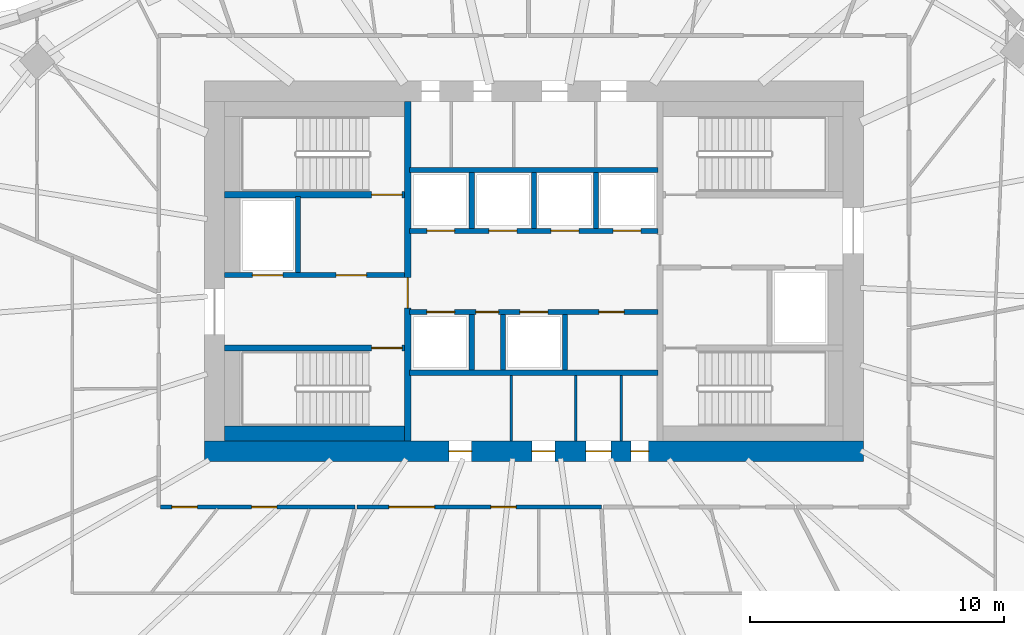
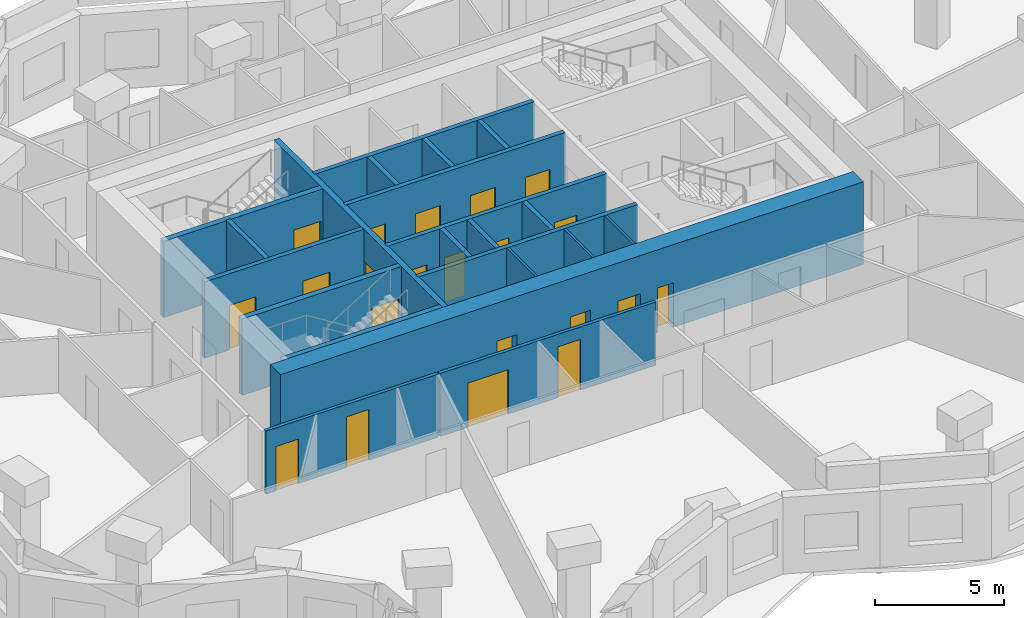
# One storey, part 5 of 11: 22 walls, 21 doors, 21 openings.
"""IFC4 building model written with IfcOpenShell, lengths in metres."""

from ifc_helpers import new_model, si_unit, direction, frame, frame_2d, origin, place, context, subcontext, project, spatial, rectangle, extrude, material, layer, layer_set, type_object, element, fill, save


model = new_model("IFC4")

# Units and contexts
model_context = context("Model", 3, precision=1e-05, world=origin(), true_north=direction((0.0, 1.0)))
body_context = subcontext(model_context, "Body", "Model", "MODEL_VIEW")
ifc_project = project(units=[si_unit("LENGTHUNIT", "METRE"), si_unit("AREAUNIT", "SQUARE_METRE"), si_unit("VOLUMEUNIT", "CUBIC_METRE"), si_unit("PLANEANGLEUNIT", "RADIAN"), si_unit("MASSUNIT", "GRAM", prefix="KILO")], contexts=[model_context])

# Site, building, storey
site_placement = place(None, origin())
site = spatial("IfcSite", under=ifc_project, at=site_placement, CompositionType="ELEMENT")
building_placement = place(site_placement, origin())
building = spatial("IfcBuilding", under=site, at=building_placement, Name="Rubra Terraces Tower", CompositionType="ELEMENT")
storey_placement = place(building_placement, frame((0.0, 0.0, 260.39990234375)))
storey = spatial("IfcBuildingStorey", under=building, at=storey_placement, Name="L64", CompositionType="ELEMENT", Elevation=260.39990234375)

# Wall, openings, doors
ifc_material_1 = material(Name="Concrete C50", Category="concrete")
ifc_layer_1 = layer(ifc_material_1, 0.800048828125)
ifc_layer_set_1 = layer_set([ifc_layer_1], Name="Concrete C50")
wall_type_1 = type_object("IfcWallType", Name="CORE WALL 800 C50", PredefinedType="SHEAR", material=ifc_layer_set_1)
wall_1_placement = place(storey_placement, frame((-13.0, -2.60009765625, 0.0), z_axis=(0.0, 0.0, 1.0), x_axis=(1.0, 0.0, 0.0)))
wall_1 = element("IfcWall", 1, at=wall_1_placement, inside=storey, type_object=wall_type_1, Name="CORE WALL S L64", PredefinedType="SHEAR", context=body_context, shape_type="SweptSolid", body=[
    extrude(rectangle(XDim=26.0, YDim=0.800048828125, at=frame_2d((13.0, 0.0))), origin(), (0.0, 0.0, 1.0), 3.900146484375),
])
opening_1_placement = place(wall_1_placement, frame((9.64990234375, 0.0, 0.0)))
opening_1 = element("IfcOpeningElement", 2, at=opening_1_placement, cuts=wall_1, Name="Opening L64.C21", PredefinedType="OPENING", context=body_context, shape_type="SweptSolid", body=[
    extrude(rectangle(XDim=0.89990234375, YDim=2.10009765625, at=frame_2d((0.449951171875, 1.050048828125))), frame((0.0, 0.409912109375, 0.0), z_axis=(0.0, -1.0, 0.0), x_axis=(1.0, 0.0, 0.0)), (0.0, 0.0, 1.0), 0.820068359375),
])
opening_2_placement = place(wall_1_placement, frame((12.925048828125, 0.0, 0.0)))
opening_2 = element("IfcOpeningElement", 3, at=opening_2_placement, cuts=wall_1, Name="Opening L64.C22", PredefinedType="OPENING", context=body_context, shape_type="SweptSolid", body=[
    extrude(rectangle(XDim=0.89990234375, YDim=2.10009765625, at=frame_2d((0.449951171875, 1.050048828125))), frame((0.0, 0.409912109375, 0.0), z_axis=(0.0, -1.0, 0.0), x_axis=(1.0, 0.0, 0.0)), (0.0, 0.0, 1.0), 0.820068359375),
])
opening_3_placement = place(wall_1_placement, frame((15.050048828125, 0.0, 0.0)))
opening_3 = element("IfcOpeningElement", 4, at=opening_3_placement, cuts=wall_1, Name="Opening L64.C23", PredefinedType="OPENING", context=body_context, shape_type="SweptSolid", body=[
    extrude(rectangle(XDim=1.0, YDim=2.10009765625, at=frame_2d((0.5, 1.050048828125))), frame((0.0, 0.409912109375, 0.0), z_axis=(0.0, -1.0, 0.0), x_axis=(1.0, 0.0, 0.0)), (0.0, 0.0, 1.0), 0.820068359375),
])
opening_4_placement = place(wall_1_placement, frame((16.824951171875, 0.0, 0.0)))
opening_4 = element("IfcOpeningElement", 5, at=opening_4_placement, cuts=wall_1, Name="Opening L64.C24", PredefinedType="OPENING", context=body_context, shape_type="SweptSolid", body=[
    extrude(rectangle(XDim=0.699951171875, YDim=2.10009765625, at=frame_2d((0.35009765625, 1.050048828125))), frame((0.0, 0.409912109375, 0.0), z_axis=(0.0, -1.0, 0.0), x_axis=(1.0, 0.0, 0.0)), (0.0, 0.0, 1.0), 0.820068359375),
])
ifc_material_2 = material(Name="Painted steel", Category="steel")
door_type_1 = type_object("IfcDoorType", Name="Fire door 1000x2100 single", OperationType="NOTDEFINED", PredefinedType="DOOR", material=ifc_material_2)
door_1_placement = place(opening_3_placement, origin())
door_1 = element("IfcDoor", 6, at=door_1_placement, inside=storey, type_object=door_type_1, Name="Accessible WC door", OperationType="SINGLE_SWING_LEFT", OverallHeight=2.10009765625, OverallWidth=1.0, PredefinedType="DOOR", context=body_context, shape_type="SweptSolid", body=[
    extrude(rectangle(XDim=1.0, YDim=2.10009765625, at=frame_2d((0.5, 1.050048828125))), frame((0.0, 0.02490234375, 0.0), z_axis=(0.0, -1.0, 0.0), x_axis=(1.0, 0.0, 0.0)), (0.0, 0.0, 1.0), 0.050048828125),
])
fill(opening_3, door_1)
door_type_2 = type_object("IfcDoorType", Name="Fire door 900x2100 single", OperationType="NOTDEFINED", PredefinedType="DOOR", material=ifc_material_2)
door_2_placement = place(opening_1_placement, origin())
door_2 = element("IfcDoor", 7, at=door_2_placement, inside=storey, type_object=door_type_2, Name="Ladies WC door", OperationType="SINGLE_SWING_LEFT", OverallHeight=2.10009765625, OverallWidth=0.89990234375, PredefinedType="DOOR", context=body_context, shape_type="SweptSolid", body=[
    extrude(rectangle(XDim=0.89990234375, YDim=2.10009765625, at=frame_2d((0.449951171875, 1.050048828125))), frame((0.0, 0.02490234375, 0.0), z_axis=(0.0, -1.0, 0.0), x_axis=(1.0, 0.0, 0.0)), (0.0, 0.0, 1.0), 0.050048828125),
])
fill(opening_1, door_2)
door_3_placement = place(opening_2_placement, origin())
door_3 = element("IfcDoor", 8, at=door_3_placement, inside=storey, type_object=door_type_2, Name="Gents WC door", OperationType="SINGLE_SWING_RIGHT", OverallHeight=2.10009765625, OverallWidth=0.89990234375, PredefinedType="DOOR", context=body_context, shape_type="SweptSolid", body=[
    extrude(rectangle(XDim=0.89990234375, YDim=2.10009765625, at=frame_2d((0.449951171875, 1.050048828125))), frame((0.0, 0.02490234375, 0.0), z_axis=(0.0, -1.0, 0.0), x_axis=(1.0, 0.0, 0.0)), (0.0, 0.0, 1.0), 0.050048828125),
])
fill(opening_2, door_3)
door_type_3 = type_object("IfcDoorType", Name="Riser access door 700x2100 single", OperationType="NOTDEFINED", PredefinedType="DOOR", material=ifc_material_2)
door_4_placement = place(opening_4_placement, origin())
door_4 = element("IfcDoor", 9, at=door_4_placement, inside=storey, type_object=door_type_3, Name="Water and drainage riser door", OperationType="SINGLE_SWING_RIGHT", OverallHeight=2.10009765625, OverallWidth=0.699951171875, PredefinedType="DOOR", context=body_context, shape_type="SweptSolid", body=[
    extrude(rectangle(XDim=0.699951171875, YDim=2.10009765625, at=frame_2d((0.35009765625, 1.050048828125))), frame((0.0, 0.02490234375, 0.0), z_axis=(0.0, -1.0, 0.0), x_axis=(1.0, 0.0, 0.0)), (0.0, 0.0, 1.0), 0.050048828125),
])
fill(opening_4, door_4)

ifc_material_3 = material(Name="Plasterboard on steel stud, mineral wool infill", Category="steel")
ifc_layer_2 = layer(ifc_material_3, 0.14990234375)
ifc_layer_set_2 = layer_set([ifc_layer_2], Name="Plasterboard on steel stud, mineral wool infill")
wall_type_2 = type_object("IfcWallType", Name="CORRIDOR PARTITION 150", PredefinedType="PARTITIONING", material=ifc_layer_set_2)
wall_2_placement = place(storey_placement, frame((-14.72509765625, -4.800048828125, 0.0), z_axis=(0.0, 0.0, 1.0), x_axis=(1.0, 0.0, 0.0)))
wall_2 = element("IfcWall", 10, at=wall_2_placement, inside=storey, type_object=wall_type_2, Name="PARTITION", PredefinedType="PARTITIONING", context=body_context, shape_type="SweptSolid", body=[
    extrude(rectangle(XDim=7.676513671875, YDim=0.14990234375, at=frame_2d((3.83837890625, 0.0))), origin(), (0.0, 0.0, 1.0), 2.984130859375),
])
opening_5_placement = place(wall_2_placement, frame((0.449951171875, 0.0, 0.0)))
opening_5 = element("IfcOpeningElement", 11, at=opening_5_placement, cuts=wall_2, Name="Opening 64-116", PredefinedType="OPENING", context=body_context, shape_type="SweptSolid", body=[
    extrude(rectangle(XDim=1.0, YDim=2.10009765625, at=frame_2d((0.5, 1.050048828125))), frame((0.0, 0.0849609375, 0.0), z_axis=(0.0, -1.0, 0.0), x_axis=(1.0, 0.0, 0.0)), (0.0, 0.0, 1.0), 0.169921875),
])
opening_6_placement = place(wall_2_placement, frame((3.589111328125, 0.0, 0.0)))
opening_6 = element("IfcOpeningElement", 12, at=opening_6_placement, cuts=wall_2, Name="Opening 64-118", PredefinedType="OPENING", context=body_context, shape_type="SweptSolid", body=[
    extrude(rectangle(XDim=1.0, YDim=2.39990234375, at=frame_2d((0.5, 1.199951171875))), frame((0.0, 0.0849609375, 0.0), z_axis=(0.0, -1.0, 0.0), x_axis=(1.0, 0.0, 0.0)), (0.0, 0.0, 1.0), 0.169921875),
])
ifc_material_4 = material(Name="Glazed aluminium meeting door leaf", Category="aluminium")
door_type_4 = type_object("IfcDoorType", Name="MEETING ROOM GLAZED DOOR 1000 X 2400", OperationType="SINGLE_SWING_LEFT", PredefinedType="DOOR", material=ifc_material_4)
door_5_placement = place(opening_6_placement, origin())
door_5 = element("IfcDoor", 13, at=door_5_placement, inside=storey, type_object=door_type_4, Name="DOOR 64-118", OperationType="SINGLE_SWING_RIGHT", OverallHeight=2.39990234375, OverallWidth=1.0, PredefinedType="DOOR", context=body_context, shape_type="SweptSolid", body=[
    extrude(rectangle(XDim=1.0, YDim=2.39990234375, at=frame_2d((0.5, 1.199951171875))), frame((0.0, 0.02490234375, 0.0), z_axis=(0.0, -1.0, 0.0), x_axis=(1.0, 0.0, 0.0)), (0.0, 0.0, 1.0), 0.050048828125),
])
fill(opening_6, door_5)
ifc_material_5 = material(Name="Painted timber door leaf", Category="wood")
door_type_5 = type_object("IfcDoorType", Name="ROOM DOOR 1000 X 2100", OperationType="SINGLE_SWING_LEFT", PredefinedType="DOOR", material=ifc_material_5)
door_6_placement = place(opening_5_placement, origin())
door_6 = element("IfcDoor", 14, at=door_6_placement, inside=storey, type_object=door_type_5, Name="DOOR 64-116", OperationType="SINGLE_SWING_RIGHT", OverallHeight=2.10009765625, OverallWidth=1.0, PredefinedType="DOOR", context=body_context, shape_type="SweptSolid", body=[
    extrude(rectangle(XDim=1.0, YDim=2.10009765625, at=frame_2d((0.5, 1.050048828125))), frame((0.0, 0.02490234375, 0.0), z_axis=(0.0, -1.0, 0.0), x_axis=(1.0, 0.0, 0.0)), (0.0, 0.0, 1.0), 0.050048828125),
])
fill(opening_5, door_6)

wall_3_placement = place(storey_placement, frame((-6.9736328125, -4.800048828125, 0.0), z_axis=(0.0, 0.0, 1.0), x_axis=(1.0, 0.0, 0.0)))
wall_3 = element("IfcWall", 15, at=wall_3_placement, inside=storey, type_object=wall_type_2, Name="PARTITION", PredefinedType="PARTITIONING", context=body_context, shape_type="SweptSolid", body=[
    extrude(rectangle(XDim=9.6396484375, YDim=0.14990234375, at=frame_2d((4.81982421875, 0.0))), origin(), (0.0, 0.0, 1.0), 2.984130859375),
])
opening_7_placement = place(wall_3_placement, frame((1.2548828125, 0.0, 0.0)))
opening_7 = element("IfcOpeningElement", 16, at=opening_7_placement, cuts=wall_3, Name="Opening 64-120", PredefinedType="OPENING", context=body_context, shape_type="SweptSolid", body=[
    extrude(rectangle(XDim=1.800048828125, YDim=2.10009765625, at=frame_2d((0.89990234375, 1.050048828125))), frame((0.0, 0.0849609375, 0.0), z_axis=(0.0, -1.0, 0.0), x_axis=(1.0, 0.0, 0.0)), (0.0, 0.0, 1.0), 0.169921875),
])
opening_8_placement = place(wall_3_placement, frame((5.27392578125, 0.0, 0.0)))
opening_8 = element("IfcOpeningElement", 17, at=opening_8_placement, cuts=wall_3, Name="Opening 64-122", PredefinedType="OPENING", context=body_context, shape_type="SweptSolid", body=[
    extrude(rectangle(XDim=1.0, YDim=2.39990234375, at=frame_2d((0.5, 1.199951171875))), frame((0.0, 0.0849609375, 0.0), z_axis=(0.0, -1.0, 0.0), x_axis=(1.0, 0.0, 0.0)), (0.0, 0.0, 1.0), 0.169921875),
])
door_7_placement = place(opening_8_placement, origin())
door_7 = element("IfcDoor", 18, at=door_7_placement, inside=storey, type_object=door_type_4, Name="DOOR 64-122", OperationType="SINGLE_SWING_RIGHT", OverallHeight=2.39990234375, OverallWidth=1.0, PredefinedType="DOOR", context=body_context, shape_type="SweptSolid", body=[
    extrude(rectangle(XDim=1.0, YDim=2.39990234375, at=frame_2d((0.5, 1.199951171875))), frame((0.0, 0.02490234375, 0.0), z_axis=(0.0, -1.0, 0.0), x_axis=(1.0, 0.0, 0.0)), (0.0, 0.0, 1.0), 0.050048828125),
])
fill(opening_8, door_7)
ifc_material_6 = material(Name="Painted timber door leaf, double", Category="wood")
door_type_6 = type_object("IfcDoorType", Name="ROOM DOUBLE DOOR 1800 X 2100", OperationType="DOUBLE_DOOR_SINGLE_SWING", PredefinedType="DOOR", material=ifc_material_6)
door_8_placement = place(opening_7_placement, origin())
door_8 = element("IfcDoor", 19, at=door_8_placement, inside=storey, type_object=door_type_6, Name="DOOR 64-120", OperationType="DOUBLE_DOOR_SINGLE_SWING", OverallHeight=2.10009765625, OverallWidth=1.800048828125, PredefinedType="DOOR", context=body_context, shape_type="SweptSolid", body=[
    extrude(rectangle(XDim=1.800048828125, YDim=2.10009765625, at=frame_2d((0.89990234375, 1.050048828125))), frame((0.0, 0.02490234375, 0.0), z_axis=(0.0, -1.0, 0.0), x_axis=(1.0, 0.0, 0.0)), (0.0, 0.0, 1.0), 0.050048828125),
])
fill(opening_7, door_8)

# Wall
ifc_material_7 = material(Name="Concrete C40", Category="concrete")
ifc_layer_3 = layer(ifc_material_7, 0.60009765625)
ifc_layer_set_3 = layer_set([ifc_layer_3], Name="Concrete C40")
wall_type_3 = type_object("IfcWallType", Name="Core lining wall 600 concrete", PredefinedType="SOLIDWALL", material=ifc_layer_set_3)
wall_4_placement = place(storey_placement, frame((-12.199951171875, -1.89990234375, 0.0), z_axis=(0.0, 0.0, 1.0), x_axis=(1.0, 0.0, 0.0)))
element("IfcWall", 20, at=wall_4_placement, inside=storey, type_object=wall_type_3, Name="CORE LINING WALL L64", PredefinedType="SOLIDWALL", context=body_context, shape_type="SweptSolid", body=[
    extrude(rectangle(XDim=7.099853515625, YDim=0.60009765625, at=frame_2d((3.5498046875, 0.0))), origin(), (0.0, 0.0, 1.0), 3.60009765625),
])

# Wall, openings, doors
ifc_material_8 = material(Name="Concrete C30", Category="concrete")
ifc_layer_4 = layer(ifc_material_8, 0.199951171875)
ifc_layer_set_4 = layer_set([ifc_layer_4], Name="Concrete C30")
wall_type_4 = type_object("IfcWallType", Name="Core wall 200 concrete", PredefinedType="SOLIDWALL", material=ifc_layer_set_4)
wall_5_placement = place(storey_placement, frame((-12.199951171875, 4.35009765625, 0.0), z_axis=(0.0, 0.0, 1.0), x_axis=(1.0, 0.0, 0.0)))
wall_5 = element("IfcWall", 21, at=wall_5_placement, inside=storey, type_object=wall_type_4, Name="STAIR WALL L64", PredefinedType="SOLIDWALL", context=body_context, shape_type="SweptSolid", body=[
    extrude(rectangle(XDim=7.099853515625, YDim=0.199951171875, at=frame_2d((3.5498046875, 0.0))), origin(), (0.0, 0.0, 1.0), 3.60009765625),
])
opening_9_placement = place(wall_5_placement, frame((4.39990234375, 0.0, 0.0)))
opening_9 = element("IfcOpeningElement", 22, at=opening_9_placement, cuts=wall_5, Name="Opening L64.C05", PredefinedType="OPENING", context=body_context, shape_type="SweptSolid", body=[
    extrude(rectangle(XDim=1.199951171875, YDim=2.10009765625, at=frame_2d((0.60009765625, 1.050048828125))), frame((0.0, 0.10986328125, 0.0), z_axis=(0.0, -1.0, 0.0), x_axis=(1.0, 0.0, 0.0)), (0.0, 0.0, 1.0), 0.219970703125),
])
opening_10_placement = place(wall_5_placement, frame((1.10009765625, 0.0, 0.0)))
opening_10 = element("IfcOpeningElement", 23, at=opening_10_placement, cuts=wall_5, Name="Opening L64.C11", PredefinedType="OPENING", context=body_context, shape_type="SweptSolid", body=[
    extrude(rectangle(XDim=1.199951171875, YDim=2.10009765625, at=frame_2d((0.60009765625, 1.050048828125))), frame((0.0, 0.10986328125, 0.0), z_axis=(0.0, -1.0, 0.0), x_axis=(1.0, 0.0, 0.0)), (0.0, 0.0, 1.0), 0.219970703125),
])
door_type_7 = type_object("IfcDoorType", Name="Fire door 1200x2100 single", OperationType="NOTDEFINED", PredefinedType="DOOR", material=ifc_material_2)
door_9_placement = place(opening_9_placement, origin())
door_9 = element("IfcDoor", 24, at=door_9_placement, inside=storey, type_object=door_type_7, Name="Stair vestibule door S2", OperationType="SINGLE_SWING_LEFT", OverallHeight=2.10009765625, OverallWidth=1.199951171875, PredefinedType="DOOR", context=body_context, shape_type="SweptSolid", body=[
    extrude(rectangle(XDim=1.199951171875, YDim=2.10009765625, at=frame_2d((0.60009765625, 1.050048828125))), frame((0.0, 0.02490234375, 0.0), z_axis=(0.0, -1.0, 0.0), x_axis=(1.0, 0.0, 0.0)), (0.0, 0.0, 1.0), 0.050048828125),
])
fill(opening_9, door_9)
ifc_material_9 = material(Name="Stainless steel", Category="steel")
door_type_8 = type_object("IfcDoorType", Name="Lift landing door 1200x2100", OperationType="NOTDEFINED", PredefinedType="DOOR", material=ifc_material_9)
door_10_placement = place(opening_10_placement, origin())
door_10 = element("IfcDoor", 25, at=door_10_placement, inside=storey, type_object=door_type_8, Name="Landing door FF1", OperationType="SLIDING_TO_RIGHT", OverallHeight=2.10009765625, OverallWidth=1.199951171875, PredefinedType="DOOR", context=body_context, shape_type="SweptSolid", body=[
    extrude(rectangle(XDim=1.199951171875, YDim=2.10009765625, at=frame_2d((0.60009765625, 1.050048828125))), frame((0.0, 0.02490234375, 0.0), z_axis=(0.0, -1.0, 0.0), x_axis=(1.0, 0.0, 0.0)), (0.0, 0.0, 1.0), 0.050048828125),
])
fill(opening_10, door_10)

# Walls
wall_6_placement = place(storey_placement, frame((-9.300048828125, 4.449951171875, 0.0), z_axis=(0.0, 0.0, 1.0), x_axis=(0.0, 1.0, 0.0)))
element("IfcWall", 26, at=wall_6_placement, inside=storey, type_object=wall_type_4, Name="STAIR WALL L64", PredefinedType="SOLIDWALL", context=body_context, shape_type="SweptSolid", body=[
    extrude(rectangle(XDim=3.0, YDim=0.199951171875, at=frame_2d((1.5, 0.0))), origin(), (0.0, 0.0, 1.0), 3.60009765625),
])
wall_7_placement = place(storey_placement, frame((-4.89990234375, 0.5, 0.0), z_axis=(0.0, 0.0, 1.0), x_axis=(1.0, 0.0, 0.0)))
element("IfcWall", 27, at=wall_7_placement, inside=storey, type_object=wall_type_4, Name="LIFT SHAFT WALL L64", PredefinedType="SOLIDWALL", context=body_context, shape_type="SweptSolid", body=[
    extrude(rectangle(XDim=9.7998046875, YDim=0.199951171875, at=frame_2d((4.89990234375, 0.0))), origin(), (0.0, 0.0, 1.0), 3.60009765625),
])

# Wall, openings, doors
wall_8_placement = place(storey_placement, frame((-4.89990234375, 2.89990234375, 0.0), z_axis=(0.0, 0.0, 1.0), x_axis=(1.0, 0.0, 0.0)))
wall_8 = element("IfcWall", 28, at=wall_8_placement, inside=storey, type_object=wall_type_4, Name="LIFT SHAFT WALL L64", PredefinedType="SOLIDWALL", context=body_context, shape_type="SweptSolid", body=[
    extrude(rectangle(XDim=9.7998046875, YDim=0.199951171875, at=frame_2d((4.89990234375, 0.0))), origin(), (0.0, 0.0, 1.0), 3.60009765625),
])
opening_11_placement = place(wall_8_placement, frame((0.675048828125, 0.0, 0.0)))
opening_11 = element("IfcOpeningElement", 29, at=opening_11_placement, cuts=wall_8, Name="Opening L64.C13", PredefinedType="OPENING", context=body_context, shape_type="SweptSolid", body=[
    extrude(rectangle(XDim=1.10009765625, YDim=2.10009765625, at=frame_2d((0.550048828125, 1.050048828125))), frame((0.0, 0.10986328125, 0.0), z_axis=(0.0, -1.0, 0.0), x_axis=(1.0, 0.0, 0.0)), (0.0, 0.0, 1.0), 0.219970703125),
])
opening_12_placement = place(wall_8_placement, frame((2.613037109375, 0.0, 0.0)))
opening_12 = element("IfcOpeningElement", 30, at=opening_12_placement, cuts=wall_8, Name="Opening L64.C14", PredefinedType="OPENING", context=body_context, shape_type="SweptSolid", body=[
    extrude(rectangle(XDim=0.89990234375, YDim=2.10009765625, at=frame_2d((0.449951171875, 1.050048828125))), frame((0.0, 0.10986328125, 0.0), z_axis=(0.0, -1.0, 0.0), x_axis=(1.0, 0.0, 0.0)), (0.0, 0.0, 1.0), 0.219970703125),
])
opening_13_placement = place(wall_8_placement, frame((4.35009765625, 0.0, 0.0)))
opening_13 = element("IfcOpeningElement", 31, at=opening_13_placement, cuts=wall_8, Name="Opening L64.C15", PredefinedType="OPENING", context=body_context, shape_type="SweptSolid", body=[
    extrude(rectangle(XDim=1.10009765625, YDim=2.10009765625, at=frame_2d((0.550048828125, 1.050048828125))), frame((0.0, 0.10986328125, 0.0), z_axis=(0.0, -1.0, 0.0), x_axis=(1.0, 0.0, 0.0)), (0.0, 0.0, 1.0), 0.219970703125),
])
opening_14_placement = place(wall_8_placement, frame((7.462890625, 0.0, 0.0)))
opening_14 = element("IfcOpeningElement", 32, at=opening_14_placement, cuts=wall_8, Name="Opening L64.C16", PredefinedType="OPENING", context=body_context, shape_type="SweptSolid", body=[
    extrude(rectangle(XDim=1.0, YDim=2.10009765625, at=frame_2d((0.5, 1.050048828125))), frame((0.0, 0.10986328125, 0.0), z_axis=(0.0, -1.0, 0.0), x_axis=(1.0, 0.0, 0.0)), (0.0, 0.0, 1.0), 0.219970703125),
])
door_11_placement = place(opening_14_placement, origin())
door_11 = element("IfcDoor", 33, at=door_11_placement, inside=storey, type_object=door_type_1, Name="Ice and vending room door", OperationType="SINGLE_SWING_RIGHT", OverallHeight=2.10009765625, OverallWidth=1.0, PredefinedType="DOOR", context=body_context, shape_type="SweptSolid", body=[
    extrude(rectangle(XDim=1.0, YDim=2.10009765625, at=frame_2d((0.5, 1.050048828125))), frame((0.0, 0.02490234375, 0.0), z_axis=(0.0, -1.0, 0.0), x_axis=(1.0, 0.0, 0.0)), (0.0, 0.0, 1.0), 0.050048828125),
])
fill(opening_14, door_11)
door_12_placement = place(opening_12_placement, origin())
door_12 = element("IfcDoor", 34, at=door_12_placement, inside=storey, type_object=door_type_2, Name="Cleaner's store door", OperationType="SINGLE_SWING_RIGHT", OverallHeight=2.10009765625, OverallWidth=0.89990234375, PredefinedType="DOOR", context=body_context, shape_type="SweptSolid", body=[
    extrude(rectangle(XDim=0.89990234375, YDim=2.10009765625, at=frame_2d((0.449951171875, 1.050048828125))), frame((0.0, 0.02490234375, 0.0), z_axis=(0.0, -1.0, 0.0), x_axis=(1.0, 0.0, 0.0)), (0.0, 0.0, 1.0), 0.050048828125),
])
fill(opening_12, door_12)
door_type_9 = type_object("IfcDoorType", Name="Lift landing door 1100x2100", OperationType="NOTDEFINED", PredefinedType="DOOR", material=ifc_material_9)
door_13_placement = place(opening_11_placement, origin())
door_13 = element("IfcDoor", 35, at=door_13_placement, inside=storey, type_object=door_type_9, Name="Landing door HB1", OperationType="SLIDING_TO_RIGHT", OverallHeight=2.10009765625, OverallWidth=1.10009765625, PredefinedType="DOOR", context=body_context, shape_type="SweptSolid", body=[
    extrude(rectangle(XDim=1.10009765625, YDim=2.10009765625, at=frame_2d((0.550048828125, 1.050048828125))), frame((0.0, 0.02490234375, 0.0), z_axis=(0.0, -1.0, 0.0), x_axis=(1.0, 0.0, 0.0)), (0.0, 0.0, 1.0), 0.050048828125),
])
fill(opening_11, door_13)
door_14_placement = place(opening_13_placement, origin())
door_14 = element("IfcDoor", 36, at=door_14_placement, inside=storey, type_object=door_type_9, Name="Landing door HB2", OperationType="SLIDING_TO_LEFT", OverallHeight=2.10009765625, OverallWidth=1.10009765625, PredefinedType="DOOR", context=body_context, shape_type="SweptSolid", body=[
    extrude(rectangle(XDim=1.10009765625, YDim=2.10009765625, at=frame_2d((0.550048828125, 1.050048828125))), frame((0.0, 0.02490234375, 0.0), z_axis=(0.0, -1.0, 0.0), x_axis=(1.0, 0.0, 0.0)), (0.0, 0.0, 1.0), 0.050048828125),
])
fill(opening_13, door_14)

wall_9_placement = place(storey_placement, frame((-4.89990234375, 6.10009765625, 0.0), z_axis=(0.0, 0.0, 1.0), x_axis=(1.0, 0.0, 0.0)))
wall_9 = element("IfcWall", 37, at=wall_9_placement, inside=storey, type_object=wall_type_4, Name="LIFT SHAFT WALL L64", PredefinedType="SOLIDWALL", context=body_context, shape_type="SweptSolid", body=[
    extrude(rectangle(XDim=9.7998046875, YDim=0.199951171875, at=frame_2d((4.89990234375, 0.0))), origin(), (0.0, 0.0, 1.0), 3.60009765625),
])
opening_15_placement = place(wall_9_placement, frame((0.675048828125, 0.0, 0.0)))
opening_15 = element("IfcOpeningElement", 38, at=opening_15_placement, cuts=wall_9, Name="Opening L64.C17", PredefinedType="OPENING", context=body_context, shape_type="SweptSolid", body=[
    extrude(rectangle(XDim=1.10009765625, YDim=2.10009765625, at=frame_2d((0.550048828125, 1.050048828125))), frame((0.0, 0.10986328125, 0.0), z_axis=(0.0, -1.0, 0.0), x_axis=(1.0, 0.0, 0.0)), (0.0, 0.0, 1.0), 0.219970703125),
])
opening_16_placement = place(wall_9_placement, frame((3.125, 0.0, 0.0)))
opening_16 = element("IfcOpeningElement", 39, at=opening_16_placement, cuts=wall_9, Name="Opening L64.C18", PredefinedType="OPENING", context=body_context, shape_type="SweptSolid", body=[
    extrude(rectangle(XDim=1.10009765625, YDim=2.10009765625, at=frame_2d((0.550048828125, 1.050048828125))), frame((0.0, 0.10986328125, 0.0), z_axis=(0.0, -1.0, 0.0), x_axis=(1.0, 0.0, 0.0)), (0.0, 0.0, 1.0), 0.219970703125),
])
opening_17_placement = place(wall_9_placement, frame((5.574951171875, 0.0, 0.0)))
opening_17 = element("IfcOpeningElement", 40, at=opening_17_placement, cuts=wall_9, Name="Opening L64.C19", PredefinedType="OPENING", context=body_context, shape_type="SweptSolid", body=[
    extrude(rectangle(XDim=1.10009765625, YDim=2.10009765625, at=frame_2d((0.550048828125, 1.050048828125))), frame((0.0, 0.10986328125, 0.0), z_axis=(0.0, -1.0, 0.0), x_axis=(1.0, 0.0, 0.0)), (0.0, 0.0, 1.0), 0.219970703125),
])
opening_18_placement = place(wall_9_placement, frame((8.02490234375, 0.0, 0.0)))
opening_18 = element("IfcOpeningElement", 41, at=opening_18_placement, cuts=wall_9, Name="Opening L64.C20", PredefinedType="OPENING", context=body_context, shape_type="SweptSolid", body=[
    extrude(rectangle(XDim=1.10009765625, YDim=2.10009765625, at=frame_2d((0.550048828125, 1.050048828125))), frame((0.0, 0.10986328125, 0.0), z_axis=(0.0, -1.0, 0.0), x_axis=(1.0, 0.0, 0.0)), (0.0, 0.0, 1.0), 0.219970703125),
])
door_15_placement = place(opening_15_placement, origin())
door_15 = element("IfcDoor", 42, at=door_15_placement, inside=storey, type_object=door_type_9, Name="Landing door HB3", OperationType="SLIDING_TO_RIGHT", OverallHeight=2.10009765625, OverallWidth=1.10009765625, PredefinedType="DOOR", context=body_context, shape_type="SweptSolid", body=[
    extrude(rectangle(XDim=1.10009765625, YDim=2.10009765625, at=frame_2d((0.550048828125, 1.050048828125))), frame((0.0, 0.02490234375, 0.0), z_axis=(0.0, -1.0, 0.0), x_axis=(1.0, 0.0, 0.0)), (0.0, 0.0, 1.0), 0.050048828125),
])
fill(opening_15, door_15)
door_16_placement = place(opening_16_placement, origin())
door_16 = element("IfcDoor", 43, at=door_16_placement, inside=storey, type_object=door_type_9, Name="Landing door HB4", OperationType="SLIDING_TO_LEFT", OverallHeight=2.10009765625, OverallWidth=1.10009765625, PredefinedType="DOOR", context=body_context, shape_type="SweptSolid", body=[
    extrude(rectangle(XDim=1.10009765625, YDim=2.10009765625, at=frame_2d((0.550048828125, 1.050048828125))), frame((0.0, 0.02490234375, 0.0), z_axis=(0.0, -1.0, 0.0), x_axis=(1.0, 0.0, 0.0)), (0.0, 0.0, 1.0), 0.050048828125),
])
fill(opening_16, door_16)
door_17_placement = place(opening_17_placement, origin())
door_17 = element("IfcDoor", 44, at=door_17_placement, inside=storey, type_object=door_type_9, Name="Landing door HB5", OperationType="SLIDING_TO_RIGHT", OverallHeight=2.10009765625, OverallWidth=1.10009765625, PredefinedType="DOOR", context=body_context, shape_type="SweptSolid", body=[
    extrude(rectangle(XDim=1.10009765625, YDim=2.10009765625, at=frame_2d((0.550048828125, 1.050048828125))), frame((0.0, 0.02490234375, 0.0), z_axis=(0.0, -1.0, 0.0), x_axis=(1.0, 0.0, 0.0)), (0.0, 0.0, 1.0), 0.050048828125),
])
fill(opening_17, door_17)
door_18_placement = place(opening_18_placement, origin())
door_18 = element("IfcDoor", 45, at=door_18_placement, inside=storey, type_object=door_type_9, Name="Landing door HB6", OperationType="SLIDING_TO_LEFT", OverallHeight=2.10009765625, OverallWidth=1.10009765625, PredefinedType="DOOR", context=body_context, shape_type="SweptSolid", body=[
    extrude(rectangle(XDim=1.10009765625, YDim=2.10009765625, at=frame_2d((0.550048828125, 1.050048828125))), frame((0.0, 0.02490234375, 0.0), z_axis=(0.0, -1.0, 0.0), x_axis=(1.0, 0.0, 0.0)), (0.0, 0.0, 1.0), 0.050048828125),
])
fill(opening_18, door_18)

# Walls
wall_10_placement = place(storey_placement, frame((-4.89990234375, 8.5, 0.0), z_axis=(0.0, 0.0, 1.0), x_axis=(1.0, 0.0, 0.0)))
element("IfcWall", 46, at=wall_10_placement, inside=storey, type_object=wall_type_4, Name="LIFT SHAFT WALL L64", PredefinedType="SOLIDWALL", context=body_context, shape_type="SweptSolid", body=[
    extrude(rectangle(XDim=9.7998046875, YDim=0.199951171875, at=frame_2d((4.89990234375, 0.0))), origin(), (0.0, 0.0, 1.0), 3.60009765625),
])
for number, where, z_axis, x_axis, name in (
    (47, (-2.449951171875, 0.60009765625, 0.0), (0.0, 0.0, 1.0), (0.0, 1.0, 0.0), "LIFT SHAFT WALL L64"),
    (48, (-1.22509765625, 0.60009765625, 0.0), (0.0, 0.0, 1.0), (0.0, 1.0, 0.0), "LIFT SHAFT WALL L64"),
    (49, (1.22509765625, 0.60009765625, 0.0), (0.0, 0.0, 1.0), (0.0, 1.0, 0.0), "LIFT SHAFT WALL L64"),
    (50, (-2.449951171875, 6.199951171875, 0.0), (0.0, 0.0, 1.0), (0.0, 1.0, 0.0), "LIFT SHAFT WALL L64"),
    (51, (0.0, 6.199951171875, 0.0), (0.0, 0.0, 1.0), (0.0, 1.0, 0.0), "LIFT SHAFT WALL L64"),
    (52, (2.449951171875, 6.199951171875, 0.0), (0.0, 0.0, 1.0), (0.0, 1.0, 0.0), "LIFT SHAFT WALL L64"),
):
    element("IfcWall", number, at=place(storey_placement, frame(where, z_axis=z_axis, x_axis=x_axis)), inside=storey, type_object=wall_type_4, Name=name, PredefinedType="SOLIDWALL", context=body_context, shape_type="SweptSolid", body=[
        extrude(rectangle(XDim=2.199951171875, YDim=0.199951171875, at=frame_2d((1.10009765625, 0.0))), origin(), (0.0, 0.0, 1.0), 3.60009765625),
    ])
ifc_material_10 = material(Name="Blockwork", Category="masonry")
ifc_layer_5 = layer(ifc_material_10, 0.10009765625)
ifc_layer_set_5 = layer_set([ifc_layer_5], Name="Blockwork")
wall_type_5 = type_object("IfcWallType", Name="Service partition 100 blockwork", PredefinedType="PARTITIONING", material=ifc_layer_set_5)
for number, where, z_axis, x_axis, name in (
    (53, (-0.89990234375, -2.199951171875, 0.0), (0.0, 0.0, 1.0), (0.0, 1.0, 0.0), "SERVICE ROOM PARTITION L64"),
    (54, (1.64990234375, -2.199951171875, 0.0), (0.0, 0.0, 1.0), (0.0, 1.0, 0.0), "SERVICE ROOM PARTITION L64"),
    (55, (3.449951171875, -2.199951171875, 0.0), (0.0, 0.0, 1.0), (0.0, 1.0, 0.0), "SERVICE ROOM PARTITION L64"),
):
    element("IfcWall", number, at=place(storey_placement, frame(where, z_axis=z_axis, x_axis=x_axis)), inside=storey, type_object=wall_type_5, Name=name, PredefinedType="PARTITIONING", context=body_context, shape_type="SweptSolid", body=[
        extrude(rectangle(XDim=2.599853515625, YDim=0.10009765625, at=frame_2d((1.2998046875, 0.0))), origin(), (0.0, 0.0, 1.0), 3.60009765625),
    ])

# Wall, opening, door
ifc_layer_6 = layer(ifc_material_7, 0.25)
ifc_layer_set_6 = layer_set([ifc_layer_6], Name="Concrete C40")
wall_type_6 = type_object("IfcWallType", Name="Stair enclosure wall 250 concrete", PredefinedType="SOLIDWALL", material=ifc_layer_set_6)
wall_11_placement = place(storey_placement, frame((-12.199951171875, 1.47509765625, 0.0), z_axis=(0.0, 0.0, 1.0), x_axis=(1.0, 0.0, 0.0)))
wall_11 = element("IfcWall", 56, at=wall_11_placement, inside=storey, type_object=wall_type_6, Name="STAIR WALL L64", PredefinedType="SOLIDWALL", context=body_context, shape_type="SweptSolid", body=[
    extrude(rectangle(XDim=7.099853515625, YDim=0.25, at=frame_2d((3.5498046875, 0.0))), origin(), (0.0, 0.0, 1.0), 3.60009765625),
])
opening_19_placement = place(wall_11_placement, frame((5.800048828125, 0.0, 0.0)))
opening_19 = element("IfcOpeningElement", 57, at=opening_19_placement, cuts=wall_11, Name="Opening L64.C07", PredefinedType="OPENING", context=body_context, shape_type="SweptSolid", body=[
    extrude(rectangle(XDim=1.199951171875, YDim=2.10009765625, at=frame_2d((0.60009765625, 1.050048828125))), frame((0.0, 0.135009765625, 0.0), z_axis=(0.0, -1.0, 0.0), x_axis=(1.0, 0.0, 0.0)), (0.0, 0.0, 1.0), 0.27001953125),
])
door_19_placement = place(opening_19_placement, origin())
door_19 = element("IfcDoor", 58, at=door_19_placement, inside=storey, type_object=door_type_7, Name="Stair door S1", OperationType="SINGLE_SWING_LEFT", OverallHeight=2.10009765625, OverallWidth=1.199951171875, PredefinedType="DOOR", context=body_context, shape_type="SweptSolid", body=[
    extrude(rectangle(XDim=1.199951171875, YDim=2.10009765625, at=frame_2d((0.60009765625, 1.050048828125))), frame((0.0, 0.02490234375, 0.0), z_axis=(0.0, -1.0, 0.0), x_axis=(1.0, 0.0, 0.0)), (0.0, 0.0, 1.0), 0.050048828125),
])
fill(opening_19, door_19)

wall_12_placement = place(storey_placement, frame((-12.199951171875, 7.52490234375, 0.0), z_axis=(0.0, 0.0, 1.0), x_axis=(1.0, 0.0, 0.0)))
wall_12 = element("IfcWall", 59, at=wall_12_placement, inside=storey, type_object=wall_type_6, Name="STAIR WALL L64", PredefinedType="SOLIDWALL", context=body_context, shape_type="SweptSolid", body=[
    extrude(rectangle(XDim=7.099853515625, YDim=0.25, at=frame_2d((3.5498046875, 0.0))), origin(), (0.0, 0.0, 1.0), 3.60009765625),
])
opening_20_placement = place(wall_12_placement, frame((5.800048828125, 0.0, 0.0)))
opening_20 = element("IfcOpeningElement", 60, at=opening_20_placement, cuts=wall_12, Name="Opening L64.C09", PredefinedType="OPENING", context=body_context, shape_type="SweptSolid", body=[
    extrude(rectangle(XDim=1.199951171875, YDim=2.10009765625, at=frame_2d((0.60009765625, 1.050048828125))), frame((0.0, 0.135009765625, 0.0), z_axis=(0.0, -1.0, 0.0), x_axis=(1.0, 0.0, 0.0)), (0.0, 0.0, 1.0), 0.27001953125),
])
door_20_placement = place(opening_20_placement, origin())
door_20 = element("IfcDoor", 61, at=door_20_placement, inside=storey, type_object=door_type_7, Name="Stair door S2", OperationType="SINGLE_SWING_LEFT", OverallHeight=2.10009765625, OverallWidth=1.199951171875, PredefinedType="DOOR", context=body_context, shape_type="SweptSolid", body=[
    extrude(rectangle(XDim=1.199951171875, YDim=2.10009765625, at=frame_2d((0.60009765625, 1.050048828125))), frame((0.0, 0.02490234375, 0.0), z_axis=(0.0, -1.0, 0.0), x_axis=(1.0, 0.0, 0.0)), (0.0, 0.0, 1.0), 0.050048828125),
])
fill(opening_20, door_20)

wall_13_placement = place(storey_placement, frame((-4.97509765625, -2.199951171875, 0.0), z_axis=(0.0, 0.0, 1.0), x_axis=(0.0, 1.0, 0.0)))
wall_13 = element("IfcWall", 62, at=wall_13_placement, inside=storey, type_object=wall_type_6, Name="CORE LOBBY WALL L64", PredefinedType="SOLIDWALL", context=body_context, shape_type="SweptSolid", body=[
    extrude(rectangle(XDim=13.39990234375, YDim=0.25, at=frame_2d((6.699951171875, 0.0))), origin(), (0.0, 0.0, 1.0), 3.60009765625),
])
opening_21_placement = place(wall_13_placement, frame((5.25, 0.0, 0.0)))
opening_21 = element("IfcOpeningElement", 63, at=opening_21_placement, cuts=wall_13, Name="Opening L64.C03", PredefinedType="OPENING", context=body_context, shape_type="SweptSolid", body=[
    extrude(rectangle(XDim=1.199951171875, YDim=2.10009765625, at=frame_2d((0.60009765625, 1.050048828125))), frame((0.0, 0.135009765625, 0.0), z_axis=(0.0, -1.0, 0.0), x_axis=(1.0, 0.0, 0.0)), (0.0, 0.0, 1.0), 0.27001953125),
])
door_21_placement = place(opening_21_placement, origin())
door_21 = element("IfcDoor", 64, at=door_21_placement, inside=storey, type_object=door_type_7, Name="Firefighting lobby door FF1", OperationType="SINGLE_SWING_LEFT", OverallHeight=2.10009765625, OverallWidth=1.199951171875, PredefinedType="DOOR", context=body_context, shape_type="SweptSolid", body=[
    extrude(rectangle(XDim=1.199951171875, YDim=2.10009765625, at=frame_2d((0.60009765625, 1.050048828125))), frame((0.0, 0.02490234375, 0.0), z_axis=(0.0, -1.0, 0.0), x_axis=(1.0, 0.0, 0.0)), (0.0, 0.0, 1.0), 0.050048828125),
])
fill(opening_21, door_21)

save(model, "model.ifc")
